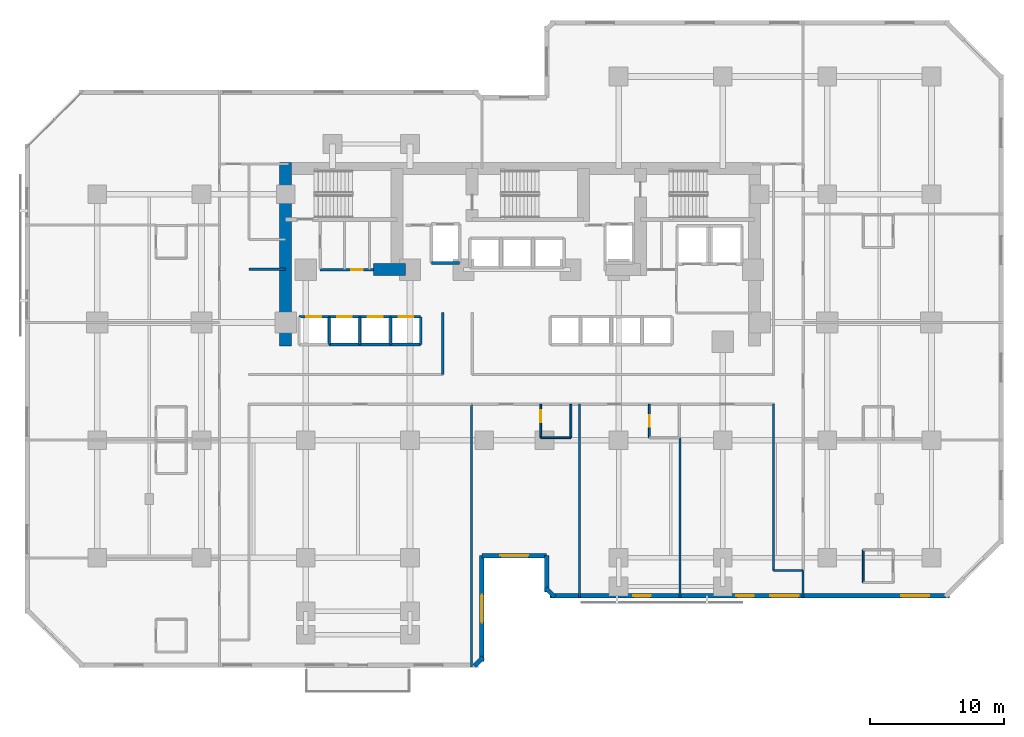
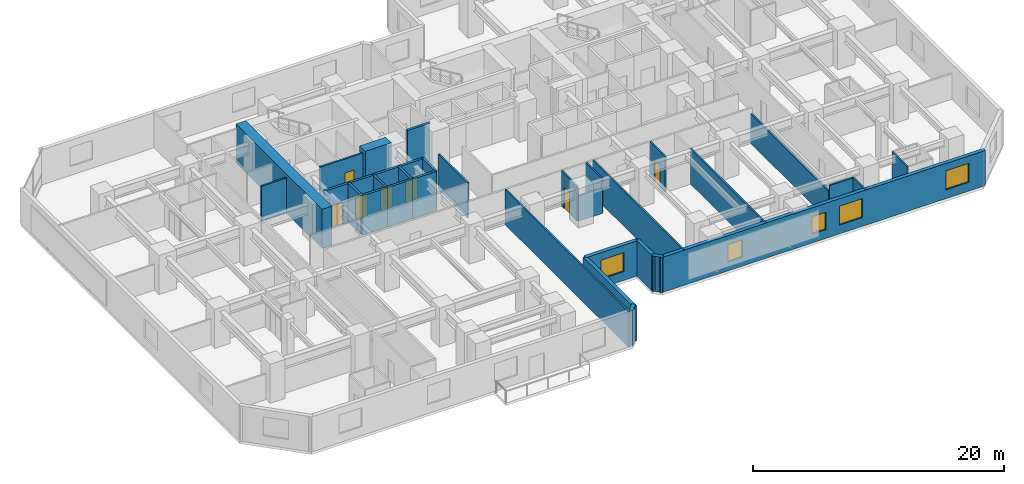
# One storey, part 5 of 11: 34 walls, 7 doors, 6 windows, 13 openings.
"""IFC4 building model written with IfcOpenShell, lengths in metres."""

from ifc_helpers import new_model, si_unit, direction, frame, frame_2d, origin, place, context, subcontext, project, spatial, rectangle, extrude, material, layer, layer_set, type_object, element, fill, save


model = new_model("IFC4")

# Units and contexts
model_context = context("Model", 3, precision=1e-05, world=origin(), true_north=direction((0.0, 1.0)))
body_context = subcontext(model_context, "Body", "Model", "MODEL_VIEW")
ifc_project = project(units=[si_unit("LENGTHUNIT", "METRE"), si_unit("AREAUNIT", "SQUARE_METRE"), si_unit("VOLUMEUNIT", "CUBIC_METRE"), si_unit("PLANEANGLEUNIT", "RADIAN"), si_unit("MASSUNIT", "GRAM", prefix="KILO")], contexts=[model_context])

# Site, building, storey
site_placement = place(None, origin())
site = spatial("IfcSite", under=ifc_project, at=site_placement, CompositionType="ELEMENT")
building_placement = place(site_placement, origin())
building = spatial("IfcBuilding", under=site, at=building_placement, Name="Kestravale Grand Hotel", CompositionType="ELEMENT")
storey_placement = place(building_placement, frame((0.0, 0.0, 71.60009765625)))
storey = spatial("IfcBuildingStorey", under=building, at=storey_placement, Name="L17", CompositionType="ELEMENT", Elevation=71.60009765625)

# Walls
ifc_material_1 = material(Name="Concrete f'c 70 MPa", Category="concrete")
ifc_layer_1 = layer(ifc_material_1, 0.89990234375)
ifc_layer_set_1 = layer_set([ifc_layer_1], Name="EW-CORE-900")
wall_type_1 = type_object("IfcWallType", Name="EW-CORE-900", PredefinedType="SHEAR", material=ifc_layer_set_1)
wall_1_placement = place(storey_placement, frame((21.89990234375, 27.050048828125, 0.0), z_axis=(0.0, 0.0, 1.0), x_axis=(0.0, 1.0, 0.0)))
element("IfcWall", 1, at=wall_1_placement, inside=storey, type_object=wall_type_1, Name="L17 core shear wall W1", PredefinedType="SHEAR", context=body_context, shape_type="SweptSolid", body=[
    extrude(rectangle(XDim=13.719970703125, YDim=0.89990234375, at=frame_2d((6.85986328125, 0.0))), origin(), (0.0, 0.0, 1.0), 3.7998046875),
])
wall_2_placement = place(storey_placement, frame((28.449951171875, 32.75, 0.0), z_axis=(0.0, 0.0, 1.0), x_axis=(1.0, 0.0, 0.0)))
element("IfcWall", 2, at=wall_2_placement, inside=storey, type_object=wall_type_1, Name="L17 core shear wall S1", PredefinedType="SHEAR", context=body_context, shape_type="SweptSolid", body=[
    extrude(rectangle(XDim=2.400146484375, YDim=0.89990234375, at=frame_2d((1.2001953125, 0.0))), origin(), (0.0, 0.0, 1.0), 3.7998046875),
])
ifc_material_2 = material(Name="Precast concrete f'c 45 MPa", Category="concrete")
ifc_layer_2 = layer(ifc_material_2, 0.340087890625)
ifc_layer_set_2 = layer_set([ifc_layer_2], Name="EW-PREC-340")
wall_type_2 = type_object("IfcWallType", Name="EW-PREC-340", PredefinedType="SOLIDWALL", material=ifc_layer_set_2)
wall_3_placement = place(storey_placement, frame((36.00146484375, 3.091796875, 0.0), z_axis=(0.0, 0.0, 1.0), x_axis=(0.707106781187, 0.707106781187, 0.0)))
element("IfcWall", 3, at=wall_3_placement, inside=storey, type_object=wall_type_2, Name="L17 fluted precast facade wall 2", PredefinedType="SOLIDWALL", context=body_context, shape_type="SweptSolid", body=[
    extrude(rectangle(XDim=0.9287109375, YDim=0.340087890625, at=frame_2d((0.46435546875, 0.0))), origin(), (0.0, 0.0, 1.0), 3.419921875),
])

# Wall, opening, window
wall_4_placement = place(storey_placement, frame((36.580078125, 3.429931640625, 0.0), z_axis=(0.0, 0.0, 1.0), x_axis=(0.0, 1.0, 0.0)))
wall_4 = element("IfcWall", 4, at=wall_4_placement, inside=storey, type_object=wall_type_2, Name="L17 fluted precast facade wall 3", PredefinedType="SOLIDWALL", context=body_context, shape_type="SweptSolid", body=[
    extrude(rectangle(XDim=7.940185546875, YDim=0.340087890625, at=frame_2d((3.97021484375, 0.0))), origin(), (0.0, 0.0, 1.0), 3.419921875),
])
opening_1_placement = place(wall_4_placement, frame((2.919921875, 0.0, 0.85009765625)))
opening_1 = element("IfcOpeningElement", 5, at=opening_1_placement, cuts=wall_4, Name="Opening W-GUEST-2100", PredefinedType="OPENING", context=body_context, shape_type="SweptSolid", body=[
    extrude(rectangle(XDim=2.10009765625, YDim=1.85009765625, at=frame_2d((1.050048828125, 0.925048828125))), frame((0.0, 0.179931640625, 0.0), z_axis=(0.0, -1.0, 0.0), x_axis=(1.0, 0.0, 0.0)), (0.0, 0.0, 1.0), 0.360107421875),
])
ifc_material_3 = material(Name="Insulated low-E double glazing in aluminium frame", Category="aluminium")
window_type_1 = type_object("IfcWindowType", Name="W-GUEST-2100", PartitioningType="DOUBLE_PANEL_VERTICAL", PredefinedType="WINDOW", material=ifc_material_3)
window_1_placement = place(opening_1_placement, origin())
window_1 = element("IfcWindow", 6, at=window_1_placement, inside=storey, type_object=window_type_1, Name="L17 exterior window 3.1", OverallHeight=1.85009765625, OverallWidth=2.10009765625, PartitioningType="SINGLE_PANEL", PredefinedType="WINDOW", context=body_context, shape_type="SweptSolid", body=[
    extrude(rectangle(XDim=2.10009765625, YDim=1.85009765625, at=frame_2d((1.050048828125, 0.925048828125))), frame((0.0, 0.030029296875, 0.0), z_axis=(0.0, -1.0, 0.0), x_axis=(1.0, 0.0, 0.0)), (0.0, 0.0, 1.0), 0.06005859375),
])
fill(opening_1, window_1)

wall_5_placement = place(storey_placement, frame((36.580078125, 11.3701171875, 0.0), z_axis=(0.0, 0.0, 1.0), x_axis=(1.0, 0.0, 0.0)))
wall_5 = element("IfcWall", 7, at=wall_5_placement, inside=storey, type_object=wall_type_2, Name="L17 fluted precast facade wall 4", PredefinedType="SOLIDWALL", context=body_context, shape_type="SweptSolid", body=[
    extrude(rectangle(XDim=4.83984375, YDim=0.340087890625, at=frame_2d((2.419921875, 0.0))), origin(), (0.0, 0.0, 1.0), 3.419921875),
])
opening_2_placement = place(wall_5_placement, frame((1.3701171875, 0.0, 0.85009765625)))
opening_2 = element("IfcOpeningElement", 8, at=opening_2_placement, cuts=wall_5, Name="Opening W-GUEST-2100", PredefinedType="OPENING", context=body_context, shape_type="SweptSolid", body=[
    extrude(rectangle(XDim=2.10009765625, YDim=1.85009765625, at=frame_2d((1.050048828125, 0.925048828125))), frame((0.0, 0.179931640625, 0.0), z_axis=(0.0, -1.0, 0.0), x_axis=(1.0, 0.0, 0.0)), (0.0, 0.0, 1.0), 0.360107421875),
])
window_2_placement = place(opening_2_placement, origin())
window_2 = element("IfcWindow", 9, at=window_2_placement, inside=storey, type_object=window_type_1, Name="L17 exterior window 4.1", OverallHeight=1.85009765625, OverallWidth=2.10009765625, PartitioningType="SINGLE_PANEL", PredefinedType="WINDOW", context=body_context, shape_type="SweptSolid", body=[
    extrude(rectangle(XDim=2.10009765625, YDim=1.85009765625, at=frame_2d((1.050048828125, 0.925048828125))), frame((0.0, 0.030029296875, 0.0), z_axis=(0.0, -1.0, 0.0), x_axis=(1.0, 0.0, 0.0)), (0.0, 0.0, 1.0), 0.06005859375),
])
fill(opening_2, window_2)

# Walls
wall_6_placement = place(storey_placement, frame((41.419921875, 11.3701171875, 0.0), z_axis=(0.0, 0.0, 1.0), x_axis=(0.0, -1.0, 0.0)))
element("IfcWall", 10, at=wall_6_placement, inside=storey, type_object=wall_type_2, Name="L17 fluted precast facade wall 5", PredefinedType="SOLIDWALL", context=body_context, shape_type="SweptSolid", body=[
    extrude(rectangle(XDim=2.740234375, YDim=0.340087890625, at=frame_2d((1.3701171875, 0.0))), origin(), (0.0, 0.0, 1.0), 3.419921875),
])
wall_7_placement = place(storey_placement, frame((41.341796875, 8.948486328125, 0.0), z_axis=(0.0, 0.0, 1.0), x_axis=(0.707238225886, -0.706975312048, 0.0)))
element("IfcWall", 11, at=wall_7_placement, inside=storey, type_object=wall_type_2, Name="L17 fluted precast facade wall 6", PredefinedType="SOLIDWALL", context=body_context, shape_type="SweptSolid", body=[
    extrude(rectangle(XDim=0.9287109375, YDim=0.340087890625, at=frame_2d((0.46435546875, 0.0))), origin(), (0.0, 0.0, 1.0), 3.419921875),
])

# Wall, openings, windows
wall_8_placement = place(storey_placement, frame((41.679931640625, 8.3701171875, 0.0), z_axis=(0.0, 0.0, 1.0), x_axis=(1.0, 0.0, 0.0)))
wall_8 = element("IfcWall", 12, at=wall_8_placement, inside=storey, type_object=wall_type_2, Name="L17 fluted precast facade wall 7", PredefinedType="SOLIDWALL", context=body_context, shape_type="SweptSolid", body=[
    extrude(rectangle(XDim=29.89013671875, YDim=0.340087890625, at=frame_2d((14.945068359375, 0.0))), origin(), (0.0, 0.0, 1.0), 3.419921875),
])
opening_3_placement = place(wall_8_placement, frame((16.481201171875, 0.0, 0.85009765625)))
opening_3 = element("IfcOpeningElement", 13, at=opening_3_placement, cuts=wall_8, Name="Opening W-GUEST-2100", PredefinedType="OPENING", context=body_context, shape_type="SweptSolid", body=[
    extrude(rectangle(XDim=2.10009765625, YDim=1.85009765625, at=frame_2d((1.050048828125, 0.925048828125))), frame((0.0, 0.179931640625, 0.0), z_axis=(0.0, -1.0, 0.0), x_axis=(1.0, 0.0, 0.0)), (0.0, 0.0, 1.0), 0.360107421875),
])
opening_4_placement = place(wall_8_placement, frame((26.253662109375, 0.0, 0.85009765625)))
opening_4 = element("IfcOpeningElement", 14, at=opening_4_placement, cuts=wall_8, Name="Opening W-GUEST-2100", PredefinedType="OPENING", context=body_context, shape_type="SweptSolid", body=[
    extrude(rectangle(XDim=2.10009765625, YDim=1.85009765625, at=frame_2d((1.050048828125, 0.925048828125))), frame((0.0, 0.179931640625, 0.0), z_axis=(0.0, -1.0, 0.0), x_axis=(1.0, 0.0, 0.0)), (0.0, 0.0, 1.0), 0.360107421875),
])
opening_5_placement = place(wall_8_placement, frame((6.22509765625, 0.0, 0.85009765625)))
opening_5 = element("IfcOpeningElement", 15, at=opening_5_placement, cuts=wall_8, Name="Opening W-GUEST-1300", PredefinedType="OPENING", context=body_context, shape_type="SweptSolid", body=[
    extrude(rectangle(XDim=1.300048828125, YDim=1.699951171875, at=frame_2d((0.64990234375, 0.85009765625))), frame((0.0, 0.179931640625, 0.0), z_axis=(0.0, -1.0, 0.0), x_axis=(1.0, 0.0, 0.0)), (0.0, 0.0, 1.0), 0.360107421875),
])
opening_6_placement = place(wall_8_placement, frame((13.929931640625, 0.0, 0.85009765625)))
opening_6 = element("IfcOpeningElement", 16, at=opening_6_placement, cuts=wall_8, Name="Opening W-GUEST-1300", PredefinedType="OPENING", context=body_context, shape_type="SweptSolid", body=[
    extrude(rectangle(XDim=1.300048828125, YDim=1.699951171875, at=frame_2d((0.64990234375, 0.85009765625))), frame((0.0, 0.179931640625, 0.0), z_axis=(0.0, -1.0, 0.0), x_axis=(1.0, 0.0, 0.0)), (0.0, 0.0, 1.0), 0.360107421875),
])
ifc_material_4 = material(Name="Insulated low-E double glazing in aluminium frame", Category="aluminium")
window_type_2 = type_object("IfcWindowType", Name="W-GUEST-1300", PartitioningType="SINGLE_PANEL", PredefinedType="WINDOW", material=ifc_material_4)
window_3_placement = place(opening_5_placement, origin())
window_3 = element("IfcWindow", 17, at=window_3_placement, inside=storey, type_object=window_type_2, Name="L17 guestroom envelope window 1", OverallHeight=1.699951171875, OverallWidth=1.300048828125, PartitioningType="SINGLE_PANEL", PredefinedType="WINDOW", context=body_context, shape_type="SweptSolid", body=[
    extrude(rectangle(XDim=1.300048828125, YDim=1.699951171875, at=frame_2d((0.64990234375, 0.85009765625))), frame((0.0, 0.030029296875, 0.0), z_axis=(0.0, -1.0, 0.0), x_axis=(1.0, 0.0, 0.0)), (0.0, 0.0, 1.0), 0.06005859375),
])
fill(opening_5, window_3)
window_4_placement = place(opening_6_placement, origin())
window_4 = element("IfcWindow", 18, at=window_4_placement, inside=storey, type_object=window_type_2, Name="L17 guestroom envelope window 2", OverallHeight=1.699951171875, OverallWidth=1.300048828125, PartitioningType="SINGLE_PANEL", PredefinedType="WINDOW", context=body_context, shape_type="SweptSolid", body=[
    extrude(rectangle(XDim=1.300048828125, YDim=1.699951171875, at=frame_2d((0.64990234375, 0.85009765625))), frame((0.0, 0.030029296875, 0.0), z_axis=(0.0, -1.0, 0.0), x_axis=(1.0, 0.0, 0.0)), (0.0, 0.0, 1.0), 0.06005859375),
])
fill(opening_6, window_4)
window_5_placement = place(opening_3_placement, origin())
window_5 = element("IfcWindow", 19, at=window_5_placement, inside=storey, type_object=window_type_1, Name="L17 exterior window 7.1", OverallHeight=1.85009765625, OverallWidth=2.10009765625, PartitioningType="SINGLE_PANEL", PredefinedType="WINDOW", context=body_context, shape_type="SweptSolid", body=[
    extrude(rectangle(XDim=2.10009765625, YDim=1.85009765625, at=frame_2d((1.050048828125, 0.925048828125))), frame((0.0, 0.030029296875, 0.0), z_axis=(0.0, -1.0, 0.0), x_axis=(1.0, 0.0, 0.0)), (0.0, 0.0, 1.0), 0.06005859375),
])
fill(opening_3, window_5)
window_6_placement = place(opening_4_placement, origin())
window_6 = element("IfcWindow", 20, at=window_6_placement, inside=storey, type_object=window_type_1, Name="L17 exterior window 7.2", OverallHeight=1.85009765625, OverallWidth=2.10009765625, PartitioningType="SINGLE_PANEL", PredefinedType="WINDOW", context=body_context, shape_type="SweptSolid", body=[
    extrude(rectangle(XDim=2.10009765625, YDim=1.85009765625, at=frame_2d((1.050048828125, 0.925048828125))), frame((0.0, 0.030029296875, 0.0), z_axis=(0.0, -1.0, 0.0), x_axis=(1.0, 0.0, 0.0)), (0.0, 0.0, 1.0), 0.06005859375),
])
fill(opening_4, window_6)

# Wall, opening, door
ifc_material_5 = material(Name="Acoustic fire-rated gypsum board partition", Category="other")
ifc_layer_3 = layer(ifc_material_5, 0.159912109375)
ifc_layer_set_3 = layer_set([ifc_layer_3], Name="IW-CORR-160")
wall_type_3 = type_object("IfcWallType", Name="IW-CORR-160", PredefinedType="PARTITIONING", material=ifc_layer_set_3)
wall_9_placement = place(storey_placement, frame((24.47998046875, 32.75, 0.0), z_axis=(0.0, 0.0, 1.0), x_axis=(1.0, 0.0, 0.0)))
wall_9 = element("IfcWall", 21, at=wall_9_placement, inside=storey, type_object=wall_type_3, Name="W-L17-CWS", PredefinedType="PARTITIONING", context=body_context, shape_type="SweptSolid", body=[
    extrude(rectangle(XDim=3.969970703125, YDim=0.159912109375, at=frame_2d((1.98486328125, 0.0))), origin(), (0.0, 0.0, 1.0), 3.419921875),
])
opening_7_placement = place(wall_9_placement, frame((2.31005859375, 0.0, 0.0)))
opening_7 = element("IfcOpeningElement", 22, at=opening_7_placement, cuts=wall_9, Name="Opening D-SH-860", PredefinedType="OPENING", context=body_context, shape_type="SweptSolid", body=[
    extrude(rectangle(XDim=0.860107421875, YDim=2.050048828125, at=frame_2d((0.43017578125, 1.02490234375))), frame((0.0, 0.08984375, 0.0), z_axis=(0.0, -1.0, 0.0), x_axis=(1.0, 0.0, 0.0)), (0.0, 0.0, 1.0), 0.179931640625),
])
ifc_material_6 = material(Name="Galvanised 90-minute riser fire door", Category="steel")
door_type_1 = type_object("IfcDoorType", Name="D-SH-860", OperationType="NOTDEFINED", PredefinedType="DOOR", material=ifc_material_6)
door_1_placement = place(opening_7_placement, origin())
door_1 = element("IfcDoor", 23, at=door_1_placement, inside=storey, type_object=door_type_1, Name="D-L17-IDF", OperationType="SINGLE_SWING_RIGHT", OverallHeight=2.050048828125, OverallWidth=0.860107421875, PredefinedType="DOOR", context=body_context, shape_type="SweptSolid", body=[
    extrude(rectangle(XDim=0.860107421875, YDim=2.050048828125, at=frame_2d((0.43017578125, 1.02490234375))), frame((0.0, 0.02490234375, 0.0), z_axis=(0.0, -1.0, 0.0), x_axis=(1.0, 0.0, 0.0)), (0.0, 0.0, 1.0), 0.050048828125),
])
fill(opening_7, door_1)

# Walls
wall_10_placement = place(storey_placement, frame((33.64990234375, 24.909912109375, 0.0), z_axis=(0.0, 0.0, 1.0), x_axis=(0.0, 1.0, 0.0)))
element("IfcWall", 24, at=wall_10_placement, inside=storey, type_object=wall_type_3, Name="W-L17-TRUNK-W", PredefinedType="PARTITIONING", context=body_context, shape_type="SweptSolid", body=[
    extrude(rectangle(XDim=4.64013671875, YDim=0.159912109375, at=frame_2d((2.320068359375, 0.0))), origin(), (0.0, 0.0, 1.0), 3.419921875),
])
wall_11_placement = place(storey_placement, frame((19.159912109375, 32.780029296875, 0.0), z_axis=(0.0, 0.0, 1.0), x_axis=(1.0, 0.0, 0.0)))
element("IfcWall", 25, at=wall_11_placement, inside=storey, type_object=wall_type_3, Name="W-L17-SW-CS", PredefinedType="PARTITIONING", context=body_context, shape_type="SweptSolid", body=[
    extrude(rectangle(XDim=2.739990234375, YDim=0.159912109375, at=frame_2d((1.3701171875, 0.0))), origin(), (0.0, 0.0, 1.0), 3.419921875),
])
wall_12_placement = place(storey_placement, frame((58.389892578125, 10.25, 0.0), z_axis=(0.0, 0.0, 1.0), x_axis=(0.0, 1.0, 0.0)))
element("IfcWall", 26, at=wall_12_placement, inside=storey, type_object=wall_type_3, Name="W-L17-SE-W", PredefinedType="PARTITIONING", context=body_context, shape_type="SweptSolid", body=[
    extrude(rectangle(XDim=12.43994140625, YDim=0.159912109375, at=frame_2d((6.219970703125, 0.0))), origin(), (0.0, 0.0, 1.0), 2.8837890625),
])

# Wall, opening, door
ifc_material_7 = material(Name="Moisture-resistant tile-backer plumbing chase wall", Category="other")
ifc_layer_4 = layer(ifc_material_7, 0.139892578125)
ifc_layer_set_4 = layer_set([ifc_layer_4], Name="IW-PLB-140")
wall_type_4 = type_object("IfcWallType", Name="IW-PLB-140", PredefinedType="PLUMBINGWALL", material=ifc_layer_set_4)
wall_13_placement = place(storey_placement, frame((40.97998046875, 20.179931640625, 0.0), z_axis=(0.0, 0.0, 1.0), x_axis=(0.0, 1.0, 0.0)))
wall_13 = element("IfcWall", 27, at=wall_13_placement, inside=storey, type_object=wall_type_4, Name="W-L17-U01-BW", PredefinedType="PLUMBINGWALL", context=body_context, shape_type="SweptSolid", body=[
    extrude(rectangle(XDim=2.489990234375, YDim=0.139892578125, at=frame_2d((1.2451171875, 0.0))), origin(), (0.0, 0.0, 1.0), 3.419921875),
])
opening_8_placement = place(wall_13_placement, frame((1.169921875, 0.0, 0.0)))
opening_8 = element("IfcOpeningElement", 28, at=opening_8_placement, cuts=wall_13, Name="Opening D-BATH-880", PredefinedType="OPENING", context=body_context, shape_type="SweptSolid", body=[
    extrude(rectangle(XDim=0.8798828125, YDim=2.050048828125, at=frame_2d((0.43994140625, 1.02490234375))), frame((0.0, 0.079833984375, 0.0), z_axis=(0.0, -1.0, 0.0), x_axis=(1.0, 0.0, 0.0)), (0.0, 0.0, 1.0), 0.159912109375),
])
ifc_material_8 = material(Name="Moisture-sealed walnut en-suite bathroom door", Category="wood")
door_type_2 = type_object("IfcDoorType", Name="D-BATH-880", OperationType="NOTDEFINED", PredefinedType="DOOR", material=ifc_material_8)
door_2_placement = place(opening_8_placement, origin())
door_2 = element("IfcDoor", 29, at=door_2_placement, inside=storey, type_object=door_type_2, Name="D-L17-U01-BATH", OperationType="SINGLE_SWING_RIGHT", OverallHeight=2.050048828125, OverallWidth=0.8798828125, PredefinedType="DOOR", context=body_context, shape_type="SweptSolid", body=[
    extrude(rectangle(XDim=0.8798828125, YDim=2.050048828125, at=frame_2d((0.43994140625, 1.02490234375))), frame((0.0, 0.02490234375, 0.0), z_axis=(0.0, -1.0, 0.0), x_axis=(1.0, 0.0, 0.0)), (0.0, 0.0, 1.0), 0.050048828125),
])
fill(opening_8, door_2)

# Walls
wall_14_placement = place(storey_placement, frame((43.22998046875, 20.179931640625, 0.0), z_axis=(0.0, 0.0, 1.0), x_axis=(0.0, 1.0, 0.0)))
element("IfcWall", 30, at=wall_14_placement, inside=storey, type_object=wall_type_4, Name="W-L17-U01-BE", PredefinedType="PLUMBINGWALL", context=body_context, shape_type="SweptSolid", body=[
    extrude(rectangle(XDim=2.489990234375, YDim=0.139892578125, at=frame_2d((1.2451171875, 0.0))), origin(), (0.0, 0.0, 1.0), 3.419921875),
])
wall_15_placement = place(storey_placement, frame((40.97998046875, 20.179931640625, 0.0), z_axis=(0.0, 0.0, 1.0), x_axis=(1.0, 0.0, 0.0)))
element("IfcWall", 31, at=wall_15_placement, inside=storey, type_object=wall_type_4, Name="W-L17-U01-BS", PredefinedType="PLUMBINGWALL", context=body_context, shape_type="SweptSolid", body=[
    extrude(rectangle(XDim=2.25, YDim=0.139892578125, at=frame_2d((1.125, 0.0))), origin(), (0.0, 0.0, 1.0), 2.472900390625),
])

# Wall, opening, door
wall_16_placement = place(storey_placement, frame((49.10009765625, 20.179931640625, 0.0), z_axis=(0.0, 0.0, 1.0), x_axis=(0.0, 1.0, 0.0)))
wall_16 = element("IfcWall", 32, at=wall_16_placement, inside=storey, type_object=wall_type_4, Name="W-L17-U02-BW", PredefinedType="PLUMBINGWALL", context=body_context, shape_type="SweptSolid", body=[
    extrude(rectangle(XDim=2.489990234375, YDim=0.139892578125, at=frame_2d((1.2451171875, 0.0))), origin(), (0.0, 0.0, 1.0), 3.419921875),
])
opening_9_placement = place(wall_16_placement, frame((0.804931640625, 0.0, 0.0)))
opening_9 = element("IfcOpeningElement", 33, at=opening_9_placement, cuts=wall_16, Name="Opening D-BATH-880", PredefinedType="OPENING", context=body_context, shape_type="SweptSolid", body=[
    extrude(rectangle(XDim=0.8798828125, YDim=2.050048828125, at=frame_2d((0.43994140625, 1.02490234375))), frame((0.0, 0.079833984375, 0.0), z_axis=(0.0, -1.0, 0.0), x_axis=(1.0, 0.0, 0.0)), (0.0, 0.0, 1.0), 0.159912109375),
])
door_3_placement = place(opening_9_placement, origin())
door_3 = element("IfcDoor", 34, at=door_3_placement, inside=storey, type_object=door_type_2, Name="D-L17-U02-BATH", OperationType="SINGLE_SWING_RIGHT", OverallHeight=2.050048828125, OverallWidth=0.8798828125, PredefinedType="DOOR", context=body_context, shape_type="SweptSolid", body=[
    extrude(rectangle(XDim=0.8798828125, YDim=2.050048828125, at=frame_2d((0.43994140625, 1.02490234375))), frame((0.0, 0.02490234375, 0.0), z_axis=(0.0, -1.0, 0.0), x_axis=(1.0, 0.0, 0.0)), (0.0, 0.0, 1.0), 0.050048828125),
])
fill(opening_9, door_3)

# Walls
wall_17_placement = place(storey_placement, frame((65.10009765625, 9.35009765625, 0.0), z_axis=(0.0, 0.0, 1.0), x_axis=(0.0, 1.0, 0.0)))
element("IfcWall", 35, at=wall_17_placement, inside=storey, type_object=wall_type_4, Name="W-L17-U07-BW", PredefinedType="PLUMBINGWALL", context=body_context, shape_type="SweptSolid", body=[
    extrude(rectangle(XDim=2.449951171875, YDim=0.139892578125, at=frame_2d((1.22509765625, 0.0))), origin(), (0.0, 0.0, 1.0), 3.419921875),
])
ifc_material_9 = material(Name="Concrete f'c 45 MPa", Category="concrete")
ifc_layer_5 = layer(ifc_material_9, 0.199951171875)
ifc_layer_set_5 = layer_set([ifc_layer_5], Name="IW-SHAFT-200")
wall_type_5 = type_object("IfcWallType", Name="IW-SHAFT-200", PredefinedType="SHEAR", material=ifc_layer_set_5)
for number, where, z_axis, x_axis, name in (
    (36, (25.14990234375, 27.169921875, 0.0), (0.0, 0.0, 1.0), (0.0, 1.0, 0.0), "L17 PL-L2 west shaft wall"),
    (37, (27.449951171875, 27.169921875, 0.0), (0.0, 0.0, 1.0), (0.0, 1.0, 0.0), "L17 PL-L3 west shaft wall"),
    (38, (29.75, 27.169921875, 0.0), (0.0, 0.0, 1.0), (0.0, 1.0, 0.0), "L17 PL-L4 west shaft wall"),
    (39, (31.9951171875, 27.169921875, 0.0), (0.0, 0.0, 1.0), (0.0, 1.0, 0.0), "L17 PL-L4 east shaft wall"),
):
    element("IfcWall", number, at=place(storey_placement, frame(where, z_axis=z_axis, x_axis=x_axis)), inside=storey, type_object=wall_type_5, Name=name, PredefinedType="SHEAR", context=body_context, shape_type="SweptSolid", body=[
        extrude(rectangle(XDim=2.06005859375, YDim=0.199951171875, at=frame_2d((1.030029296875, 0.0))), origin(), (0.0, 0.0, 1.0), 3.7998046875),
    ])

# Wall, opening, door
ifc_material_10 = material(Name="Concrete f'c 45 MPa", Category="concrete")
ifc_layer_6 = layer(ifc_material_10, 0.219970703125)
ifc_layer_set_6 = layer_set([ifc_layer_6], Name="IW-SHAFT-220")
wall_type_6 = type_object("IfcWallType", Name="IW-SHAFT-220", PredefinedType="SHEAR", material=ifc_layer_set_6)
wall_18_placement = place(storey_placement, frame((22.905029296875, 29.22998046875, 0.0), z_axis=(0.0, 0.0, 1.0), x_axis=(1.0, 0.0, 0.0)))
wall_18 = element("IfcWall", 40, at=wall_18_placement, inside=storey, type_object=wall_type_6, Name="L17 PL-L1 north shaft wall", PredefinedType="SHEAR", context=body_context, shape_type="SweptSolid", body=[
    extrude(rectangle(XDim=2.244873046875, YDim=0.219970703125, at=frame_2d((1.12255859375, 0.0))), origin(), (0.0, 0.0, 1.0), 3.7998046875),
])
opening_10_placement = place(wall_18_placement, frame((0.544921875, 0.0, 0.0)))
opening_10 = element("IfcOpeningElement", 41, at=opening_10_placement, cuts=wall_18, Name="Opening LD-PAX-1100", PredefinedType="OPENING", context=body_context, shape_type="SweptSolid", body=[
    extrude(rectangle(XDim=1.10009765625, YDim=2.14990234375, at=frame_2d((0.550048828125, 1.074951171875))), frame((0.0, 0.119873046875, 0.0), z_axis=(0.0, -1.0, 0.0), x_axis=(1.0, 0.0, 0.0)), (0.0, 0.0, 1.0), 0.239990234375),
])
ifc_material_11 = material(Name="Champagne-bronze center-opening sliding elevator landing door", Category="steel")
door_type_3 = type_object("IfcDoorType", Name="LD-PAX-1100", OperationType="NOTDEFINED", PredefinedType="DOOR", material=ifc_material_11)
door_4_placement = place(opening_10_placement, origin())
door_4 = element("IfcDoor", 42, at=door_4_placement, inside=storey, type_object=door_type_3, Name="L17 PL-L1 elevator landing sliding door", OperationType="DOUBLE_DOOR_SLIDING", OverallHeight=2.14990234375, OverallWidth=1.10009765625, PredefinedType="DOOR", context=body_context, shape_type="SweptSolid", body=[
    extrude(rectangle(XDim=1.10009765625, YDim=2.14990234375, at=frame_2d((0.550048828125, 1.074951171875))), frame((0.0, 0.02490234375, 0.0), z_axis=(0.0, -1.0, 0.0), x_axis=(1.0, 0.0, 0.0)), (0.0, 0.0, 1.0), 0.050048828125),
])
fill(opening_10, door_4)

wall_19_placement = place(storey_placement, frame((25.14990234375, 29.22998046875, 0.0), z_axis=(0.0, 0.0, 1.0), x_axis=(1.0, 0.0, 0.0)))
wall_19 = element("IfcWall", 43, at=wall_19_placement, inside=storey, type_object=wall_type_6, Name="L17 PL-L2 north shaft wall", PredefinedType="SHEAR", context=body_context, shape_type="SweptSolid", body=[
    extrude(rectangle(XDim=2.300048828125, YDim=0.219970703125, at=frame_2d((1.14990234375, 0.0))), origin(), (0.0, 0.0, 1.0), 3.7998046875),
])
opening_11_placement = place(wall_19_placement, frame((0.60009765625, 0.0, 0.0)))
opening_11 = element("IfcOpeningElement", 44, at=opening_11_placement, cuts=wall_19, Name="Opening LD-PAX-1100", PredefinedType="OPENING", context=body_context, shape_type="SweptSolid", body=[
    extrude(rectangle(XDim=1.10009765625, YDim=2.14990234375, at=frame_2d((0.550048828125, 1.074951171875))), frame((0.0, 0.119873046875, 0.0), z_axis=(0.0, -1.0, 0.0), x_axis=(1.0, 0.0, 0.0)), (0.0, 0.0, 1.0), 0.239990234375),
])
door_5_placement = place(opening_11_placement, origin())
door_5 = element("IfcDoor", 45, at=door_5_placement, inside=storey, type_object=door_type_3, Name="L17 PL-L2 elevator landing sliding door", OperationType="DOUBLE_DOOR_SLIDING", OverallHeight=2.14990234375, OverallWidth=1.10009765625, PredefinedType="DOOR", context=body_context, shape_type="SweptSolid", body=[
    extrude(rectangle(XDim=1.10009765625, YDim=2.14990234375, at=frame_2d((0.550048828125, 1.074951171875))), frame((0.0, 0.02490234375, 0.0), z_axis=(0.0, -1.0, 0.0), x_axis=(1.0, 0.0, 0.0)), (0.0, 0.0, 1.0), 0.050048828125),
])
fill(opening_11, door_5)

# Wall
wall_20_placement = place(storey_placement, frame((25.14990234375, 27.169921875, 0.0), z_axis=(0.0, 0.0, 1.0), x_axis=(1.0, 0.0, 0.0)))
element("IfcWall", 46, at=wall_20_placement, inside=storey, type_object=wall_type_6, Name="L17 PL-L2 south shaft wall", PredefinedType="SHEAR", context=body_context, shape_type="SweptSolid", body=[
    extrude(rectangle(XDim=2.300048828125, YDim=0.219970703125, at=frame_2d((1.14990234375, 0.0))), origin(), (0.0, 0.0, 1.0), 3.7998046875),
])

# Wall, opening, door
wall_21_placement = place(storey_placement, frame((27.449951171875, 29.22998046875, 0.0), z_axis=(0.0, 0.0, 1.0), x_axis=(1.0, 0.0, 0.0)))
wall_21 = element("IfcWall", 47, at=wall_21_placement, inside=storey, type_object=wall_type_6, Name="L17 PL-L3 north shaft wall", PredefinedType="SHEAR", context=body_context, shape_type="SweptSolid", body=[
    extrude(rectangle(XDim=2.300048828125, YDim=0.219970703125, at=frame_2d((1.14990234375, 0.0))), origin(), (0.0, 0.0, 1.0), 3.7998046875),
])
opening_12_placement = place(wall_21_placement, frame((0.60009765625, 0.0, 0.0)))
opening_12 = element("IfcOpeningElement", 48, at=opening_12_placement, cuts=wall_21, Name="Opening LD-PAX-1100", PredefinedType="OPENING", context=body_context, shape_type="SweptSolid", body=[
    extrude(rectangle(XDim=1.10009765625, YDim=2.14990234375, at=frame_2d((0.550048828125, 1.074951171875))), frame((0.0, 0.119873046875, 0.0), z_axis=(0.0, -1.0, 0.0), x_axis=(1.0, 0.0, 0.0)), (0.0, 0.0, 1.0), 0.239990234375),
])
door_6_placement = place(opening_12_placement, origin())
door_6 = element("IfcDoor", 49, at=door_6_placement, inside=storey, type_object=door_type_3, Name="L17 PL-L3 elevator landing sliding door", OperationType="DOUBLE_DOOR_SLIDING", OverallHeight=2.14990234375, OverallWidth=1.10009765625, PredefinedType="DOOR", context=body_context, shape_type="SweptSolid", body=[
    extrude(rectangle(XDim=1.10009765625, YDim=2.14990234375, at=frame_2d((0.550048828125, 1.074951171875))), frame((0.0, 0.02490234375, 0.0), z_axis=(0.0, -1.0, 0.0), x_axis=(1.0, 0.0, 0.0)), (0.0, 0.0, 1.0), 0.050048828125),
])
fill(opening_12, door_6)

# Wall
wall_22_placement = place(storey_placement, frame((27.449951171875, 27.169921875, 0.0), z_axis=(0.0, 0.0, 1.0), x_axis=(1.0, 0.0, 0.0)))
element("IfcWall", 50, at=wall_22_placement, inside=storey, type_object=wall_type_6, Name="L17 PL-L3 south shaft wall", PredefinedType="SHEAR", context=body_context, shape_type="SweptSolid", body=[
    extrude(rectangle(XDim=2.300048828125, YDim=0.219970703125, at=frame_2d((1.14990234375, 0.0))), origin(), (0.0, 0.0, 1.0), 3.7998046875),
])

# Wall, opening, door
wall_23_placement = place(storey_placement, frame((29.75, 29.22998046875, 0.0), z_axis=(0.0, 0.0, 1.0), x_axis=(1.0, 0.0, 0.0)))
wall_23 = element("IfcWall", 51, at=wall_23_placement, inside=storey, type_object=wall_type_6, Name="L17 PL-L4 north shaft wall", PredefinedType="SHEAR", context=body_context, shape_type="SweptSolid", body=[
    extrude(rectangle(XDim=2.2451171875, YDim=0.219970703125, at=frame_2d((1.12255859375, 0.0))), origin(), (0.0, 0.0, 1.0), 3.7998046875),
])
opening_13_placement = place(wall_23_placement, frame((0.60009765625, 0.0, 0.0)))
opening_13 = element("IfcOpeningElement", 52, at=opening_13_placement, cuts=wall_23, Name="Opening LD-PAX-1100", PredefinedType="OPENING", context=body_context, shape_type="SweptSolid", body=[
    extrude(rectangle(XDim=1.10009765625, YDim=2.14990234375, at=frame_2d((0.550048828125, 1.074951171875))), frame((0.0, 0.119873046875, 0.0), z_axis=(0.0, -1.0, 0.0), x_axis=(1.0, 0.0, 0.0)), (0.0, 0.0, 1.0), 0.239990234375),
])
door_7_placement = place(opening_13_placement, origin())
door_7 = element("IfcDoor", 53, at=door_7_placement, inside=storey, type_object=door_type_3, Name="L17 PL-L4 elevator landing sliding door", OperationType="DOUBLE_DOOR_SLIDING", OverallHeight=2.14990234375, OverallWidth=1.10009765625, PredefinedType="DOOR", context=body_context, shape_type="SweptSolid", body=[
    extrude(rectangle(XDim=1.10009765625, YDim=2.14990234375, at=frame_2d((0.550048828125, 1.074951171875))), frame((0.0, 0.02490234375, 0.0), z_axis=(0.0, -1.0, 0.0), x_axis=(1.0, 0.0, 0.0)), (0.0, 0.0, 1.0), 0.050048828125),
])
fill(opening_13, door_7)

# Walls
wall_24_placement = place(storey_placement, frame((29.75, 27.169921875, 0.0), z_axis=(0.0, 0.0, 1.0), x_axis=(1.0, 0.0, 0.0)))
element("IfcWall", 54, at=wall_24_placement, inside=storey, type_object=wall_type_6, Name="L17 PL-L4 south shaft wall", PredefinedType="SHEAR", context=body_context, shape_type="SweptSolid", body=[
    extrude(rectangle(XDim=2.2451171875, YDim=0.219970703125, at=frame_2d((1.12255859375, 0.0))), origin(), (0.0, 0.0, 1.0), 3.7998046875),
])
wall_25_placement = place(storey_placement, frame((32.804931640625, 33.2451171875, 0.0), z_axis=(0.0, 0.0, 1.0), x_axis=(1.0, 0.0, 0.0)))
element("IfcWall", 55, at=wall_25_placement, inside=storey, type_object=wall_type_6, Name="L17 FL-1 south shaft wall", PredefinedType="SHEAR", context=body_context, shape_type="SweptSolid", body=[
    extrude(rectangle(XDim=2.090087890625, YDim=0.219970703125, at=frame_2d((1.044921875, 0.0))), origin(), (0.0, 0.0, 1.0), 3.7998046875),
])
ifc_material_12 = material(Name="Double-stud STC 52 acoustic demising partition", Category="other")
ifc_layer_7 = layer(ifc_material_12, 0.14990234375)
ifc_layer_set_7 = layer_set([ifc_layer_7], Name="IW-UNIT-150")
wall_type_7 = type_object("IfcWallType", Name="IW-UNIT-150", PredefinedType="PARTITIONING", material=ifc_layer_set_7)
wall_26_placement = place(storey_placement, frame((58.389892578125, 10.25, 0.0), z_axis=(0.0, 0.0, 1.0), x_axis=(1.0, 0.0, 0.0)))
element("IfcWall", 56, at=wall_26_placement, inside=storey, type_object=wall_type_7, Name="W-L17-SE-S", PredefinedType="PARTITIONING", context=body_context, shape_type="SweptSolid", body=[
    extrude(rectangle(XDim=2.22021484375, YDim=0.14990234375, at=frame_2d((1.110107421875, 0.0))), origin(), (0.0, 0.0, 1.0), 3.419921875),
])
wall_27_placement = place(storey_placement, frame((35.800048828125, 3.02001953125, 0.0), z_axis=(0.0, 0.0, 1.0), x_axis=(0.0, 1.0, 0.0)))
element("IfcWall", 57, at=wall_27_placement, inside=storey, type_object=wall_type_7, Name="W-L17-MID-S", PredefinedType="PARTITIONING", context=body_context, shape_type="SweptSolid", body=[
    extrude(rectangle(XDim=19.64990234375, YDim=0.14990234375, at=frame_2d((9.824951171875, 0.0))), origin(), (0.0, 0.0, 1.0), 3.419921875),
])
wall_28_placement = place(storey_placement, frame((43.8798828125, 8.219970703125, 0.0), z_axis=(0.0, 0.0, 1.0), x_axis=(0.0, 1.0, 0.0)))
element("IfcWall", 58, at=wall_28_placement, inside=storey, type_object=wall_type_7, Name="W-L17-ES-1", PredefinedType="PARTITIONING", context=body_context, shape_type="SweptSolid", body=[
    extrude(rectangle(XDim=14.469970703125, YDim=0.14990234375, at=frame_2d((7.23486328125, 0.0))), origin(), (0.0, 0.0, 1.0), 3.419921875),
])
wall_29_placement = place(storey_placement, frame((51.409912109375, 8.219970703125, 0.0), z_axis=(0.0, 0.0, 1.0), x_axis=(0.0, 1.0, 0.0)))
element("IfcWall", 59, at=wall_29_placement, inside=storey, type_object=wall_type_7, Name="W-L17-ES-2", PredefinedType="PARTITIONING", context=body_context, shape_type="SweptSolid", body=[
    extrude(rectangle(XDim=11.9599609375, YDim=0.14990234375, at=frame_2d((5.97998046875, 0.0))), origin(), (0.0, 0.0, 1.0), 3.419921875),
])
wall_30_placement = place(storey_placement, frame((60.610107421875, 8.219970703125, 0.0), z_axis=(0.0, 0.0, 1.0), x_axis=(0.0, 1.0, 0.0)))
element("IfcWall", 60, at=wall_30_placement, inside=storey, type_object=wall_type_7, Name="W-L17-SE-EXT", PredefinedType="PARTITIONING", context=body_context, shape_type="SweptSolid", body=[
    extrude(rectangle(XDim=2.030029296875, YDim=0.14990234375, at=frame_2d((1.01513671875, 0.0))), origin(), (0.0, 0.0, 1.0), 3.419921875),
])

save(model, "model.ifc")
